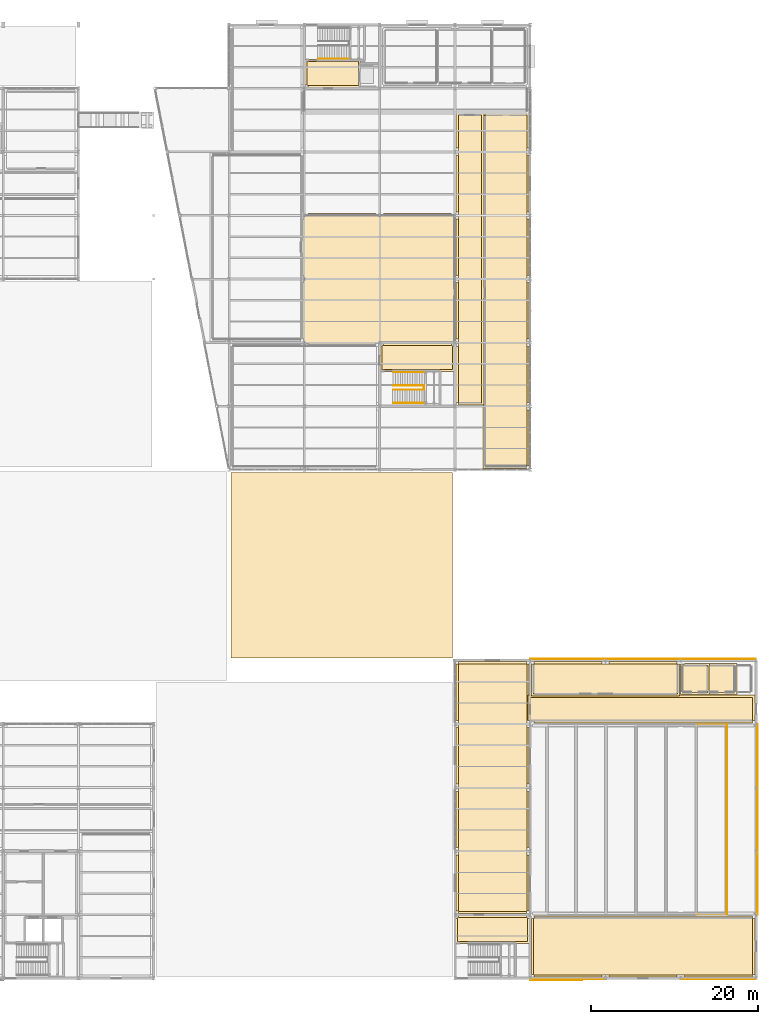
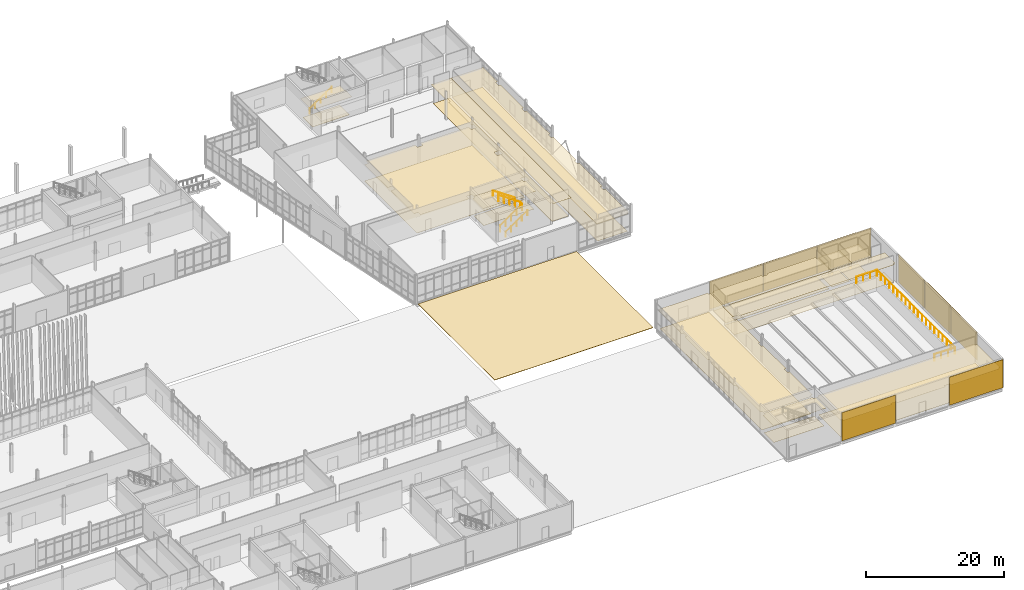
# One storey, part 159 of 161: 33 coverings, 5 railings.
"""IFC4 building model written with IfcOpenShell, lengths in metres."""

from ifc_helpers import new_model, si_unit, direction, frame, origin, origin_2d, place, context, subcontext, project, spatial, polyline, rectangle, circle, outline, extrude, material, layer, layer_set, type_object, element, save


model = new_model("IFC4")

# Units and contexts
model_context = context("Model", 3, precision=1e-05, world=origin(), true_north=direction((0.0, 1.0)))
body_context = subcontext(model_context, "Body", "Model", "MODEL_VIEW")
ifc_project = project(units=[si_unit("LENGTHUNIT", "METRE"), si_unit("AREAUNIT", "SQUARE_METRE"), si_unit("VOLUMEUNIT", "CUBIC_METRE"), si_unit("PLANEANGLEUNIT", "RADIAN"), si_unit("MASSUNIT", "GRAM", prefix="KILO")], contexts=[model_context])

# Site, building, storey
site_placement = place(None, origin())
site = spatial("IfcSite", under=ifc_project, at=site_placement, CompositionType="ELEMENT")
building_placement = place(site_placement, origin())
building = spatial("IfcBuilding", under=site, at=building_placement, Name="Caisbarro Railhouse Central Library", CompositionType="ELEMENT")
storey_placement = place(building_placement, origin())
storey = spatial("IfcBuildingStorey", under=building, at=storey_placement, Name="L00", CompositionType="ELEMENT", Elevation=0.0)

# Coverings
ifc_material_1 = material(Name="Extruded architectural terracotta rainscreen", Category="masonry")
ifc_layer_1 = layer(ifc_material_1, 0.054931640625, Name="Extruded architectural terracotta rainscreen")
ifc_layer_set_1 = layer_set([ifc_layer_1], Name="Extruded architectural terracotta rainscreen")
covering_type_1 = type_object("IfcCoveringType", Name="CLD-TER01", PredefinedType="CLADDING", material=ifc_layer_set_1)
for number, where, z_axis, x_axis, name in (
    (1, (180.17138671875, 11.39990234375, 0.030029296875), (0.0, 0.0, 1.0), (0.0, 1.0, 0.0), "TER01 facade cladding L00-035"),
    (2, (180.17138671875, 19.0, 0.030029296875), (0.0, 0.0, 1.0), (0.0, 1.0, 0.0), "TER01 facade cladding L00-036"),
    (3, (180.17138671875, 26.60009765625, 0.030029296875), (0.0, 0.0, 1.0), (0.0, 1.0, 0.0), "TER01 facade cladding L00-037"),
):
    element("IfcCovering", number, at=place(storey_placement, frame(where, z_axis=z_axis, x_axis=x_axis)), inside=storey, type_object=covering_type_1, Name=name, PredefinedType="CLADDING", context=body_context, shape_type="SweptSolid", body=[
        extrude(rectangle(XDim=7.56005859375, YDim=0.054931640625, at=origin_2d()), origin(), (0.0, 0.0, 1.0), 4.97998046875),
    ])
for number, where, z_axis, x_axis, name in (
    (4, (157.5, -0.17138671875, 0.030029296875), (0.0, 0.0, 1.0), (1.0, 0.0, 0.0), "TER01 facade cladding L00-038"),
    (5, (157.5, 38.17138671875, 0.030029296875), (0.0, 0.0, 1.0), (1.0, 0.0, 0.0), "TER01 facade cladding L00-039"),
    (6, (166.5, 38.17138671875, 0.030029296875), (0.0, 0.0, 1.0), (1.0, 0.0, 0.0), "TER01 facade cladding L00-040"),
    (7, (175.5, -0.17138671875, 0.030029296875), (0.0, 0.0, 1.0), (1.0, 0.0, 0.0), "TER01 facade cladding L00-041"),
    (8, (175.5, 38.17138671875, 0.030029296875), (0.0, 0.0, 1.0), (1.0, 0.0, 0.0), "TER01 facade cladding L00-042"),
):
    element("IfcCovering", number, at=place(storey_placement, frame(where, z_axis=z_axis, x_axis=x_axis)), inside=storey, type_object=covering_type_1, Name=name, PredefinedType="CLADDING", context=body_context, shape_type="SweptSolid", body=[
        extrude(rectangle(XDim=8.9599609375, YDim=0.054931640625, at=origin_2d()), origin(), (0.0, 0.0, 1.0), 4.97998046875),
    ])
ifc_material_2 = material(Name="Perforated mineral-fibre acoustic ceiling tile")
ifc_layer_2 = layer(ifc_material_2, 0.01806640625, Name="Perforated mineral-fibre acoustic ceiling tile")
ifc_layer_set_2 = layer_set([ifc_layer_2], Name="Perforated mineral-fibre acoustic ceiling tile")
covering_type_2 = type_object("IfcCoveringType", Name="COV-CL01", PredefinedType="CEILING", material=ifc_layer_set_2)
covering_1_placement = place(storey_placement, frame((0.0, 0.0, 3.25)))
element("IfcCovering", 9, at=covering_1_placement, inside=storey, type_object=covering_type_2, Name="CL01 acoustic ceiling Lift Lobby K3", PredefinedType="CEILING", context=body_context, shape_type="SweptSolid", body=[
    extrude(outline(polyline([(126.0400390625, 109.860107421875), (132.7099609375, 109.860107421875), (132.7099609375, 106.489990234375), (126.43994140625, 106.489990234375), (126.43994140625, 106.840087890625), (126.0400390625, 106.840087890625), (126.0400390625, 109.860107421875)])), origin(), (0.0, 0.0, 1.0), 0.01806640625),
])
covering_2_placement = place(storey_placement, frame((0.0, 0.0, 3.25)))
element("IfcCovering", 10, at=covering_2_placement, inside=storey, type_object=covering_type_2, Name="CL01 acoustic ceiling Stair Lobby K7", PredefinedType="CEILING", context=body_context, shape_type="SweptSolid", body=[
    extrude(outline(polyline([(135.43994140625, 75.56005859375), (135.43994140625, 75.909912109375), (143.56005859375, 75.909912109375), (143.56005859375, 75.56005859375), (143.9599609375, 75.56005859375), (143.9599609375, 72.5400390625), (135.0400390625, 72.5400390625), (135.0400390625, 75.56005859375), (135.43994140625, 75.56005859375)])), origin(), (0.0, 0.0, 1.0), 0.01806640625),
])
covering_3_placement = place(storey_placement, frame((0.0, 0.0, 3.25)))
element("IfcCovering", 11, at=covering_3_placement, inside=storey, type_object=covering_type_2, Name="CL01 acoustic ceiling Stair Lobby K9", PredefinedType="CEILING", context=body_context, shape_type="SweptSolid", body=[
    extrude(outline(polyline([(144.43994140625, 7.159912109375), (144.43994140625, 7.510009765625), (152.56005859375, 7.510009765625), (152.56005859375, 7.159912109375), (152.9599609375, 7.159912109375), (152.9599609375, 4.139892578125), (144.0400390625, 4.139892578125), (144.0400390625, 7.159912109375), (144.43994140625, 7.159912109375)])), origin(), (0.0, 0.0, 1.0), 0.01806640625),
])
covering_4_placement = place(storey_placement, frame((0.0, 0.0, 3.25)))
element("IfcCovering", 12, at=covering_4_placement, inside=storey, type_object=covering_type_2, Name="CL01 acoustic ceiling Atrium Ground Concourse", PredefinedType="CEILING", context=body_context, shape_type="SweptSolid", body=[
    extrude(outline(polyline([(126.43994140625, 75.739990234375), (126.43994140625, 76.43994140625), (125.739990234375, 76.43994140625), (125.739990234375, 83.159912109375), (126.43994140625, 83.159912109375), (126.43994140625, 84.0400390625), (125.739990234375, 84.0400390625), (125.739990234375, 90.760009765625), (126.43994140625, 90.760009765625), (126.43994140625, 91.4599609375), (134.56005859375, 91.4599609375), (134.56005859375, 90.760009765625), (135.43994140625, 90.760009765625), (135.43994140625, 91.4599609375), (143.56005859375, 91.4599609375), (143.56005859375, 90.760009765625), (144.260009765625, 90.760009765625), (144.260009765625, 84.0400390625), (143.56005859375, 84.0400390625), (143.56005859375, 83.159912109375), (144.260009765625, 83.159912109375), (144.260009765625, 76.43994140625), (143.56005859375, 76.43994140625), (143.56005859375, 75.739990234375), (135.43994140625, 75.739990234375), (135.43994140625, 76.43994140625), (134.56005859375, 76.43994140625), (134.56005859375, 75.739990234375), (126.43994140625, 75.739990234375)])), origin(), (0.0, 0.0, 1.0), 0.01806640625),
])
covering_5_placement = place(storey_placement, frame((0.0, 0.0, 3.25)))
element("IfcCovering", 13, at=covering_5_placement, inside=storey, type_object=covering_type_2, Name="CL01 acoustic ceiling Atrium East Corridor L00", PredefinedType="CEILING", context=body_context, shape_type="SweptSolid", body=[
    extrude(outline(polyline([(144.43994140625, 68.840087890625), (144.139892578125, 68.840087890625), (144.139892578125, 75.56005859375), (144.43994140625, 75.56005859375), (144.43994140625, 76.43994140625), (144.139892578125, 76.43994140625), (144.139892578125, 83.159912109375), (144.43994140625, 83.159912109375), (144.43994140625, 84.0400390625), (144.139892578125, 84.0400390625), (144.139892578125, 90.760009765625), (144.43994140625, 90.760009765625), (144.43994140625, 91.639892578125), (144.139892578125, 91.639892578125), (144.139892578125, 98.360107421875), (144.43994140625, 98.360107421875), (144.43994140625, 99.239990234375), (144.139892578125, 99.239990234375), (144.139892578125, 103.4599609375), (147.4599609375, 103.4599609375), (147.4599609375, 68.5400390625), (144.43994140625, 68.5400390625), (144.43994140625, 68.840087890625)])), origin(), (0.0, 0.0, 1.0), 0.01806640625),
])
covering_6_placement = place(storey_placement, frame((0.0, 0.0, 3.25)))
element("IfcCovering", 14, at=covering_6_placement, inside=storey, type_object=covering_type_2, Name="CL01 acoustic ceiling Quiet Study Carrels East L00", PredefinedType="CEILING", context=body_context, shape_type="SweptSolid", body=[
    extrude(outline(polyline([(152.860107421875, 75.56005859375), (152.860107421875, 68.840087890625), (152.56005859375, 68.840087890625), (152.56005859375, 67.9599609375), (152.860107421875, 67.9599609375), (152.860107421875, 61.239990234375), (152.56005859375, 61.239990234375), (152.56005859375, 60.93994140625), (147.340087890625, 60.93994140625), (147.340087890625, 103.4599609375), (152.860107421875, 103.4599609375), (152.860107421875, 99.239990234375), (152.56005859375, 99.239990234375), (152.56005859375, 98.360107421875), (152.860107421875, 98.360107421875), (152.860107421875, 91.639892578125), (152.56005859375, 91.639892578125), (152.56005859375, 90.760009765625), (152.860107421875, 90.760009765625), (152.860107421875, 84.0400390625), (152.56005859375, 84.0400390625), (152.56005859375, 83.159912109375), (152.860107421875, 83.159912109375), (152.860107421875, 76.43994140625), (152.56005859375, 76.43994140625), (152.56005859375, 75.56005859375), (152.860107421875, 75.56005859375)])), origin(), (0.0, 0.0, 1.0), 0.01806640625),
])
covering_7_placement = place(storey_placement, frame((0.0, 0.0, 3.25)))
element("IfcCovering", 15, at=covering_7_placement, inside=storey, type_object=covering_type_2, Name="CL01 acoustic ceiling Auditorium Foyer and Crush Concourse", PredefinedType="CEILING", context=body_context, shape_type="SweptSolid", body=[
    extrude(outline(polyline([(144.139892578125, 15.639892578125), (144.139892578125, 22.360107421875), (144.43994140625, 22.360107421875), (144.43994140625, 23.239990234375), (144.139892578125, 23.239990234375), (144.139892578125, 29.9599609375), (144.43994140625, 29.9599609375), (144.43994140625, 30.840087890625), (144.139892578125, 30.840087890625), (144.139892578125, 37.56005859375), (144.43994140625, 37.56005859375), (144.43994140625, 37.860107421875), (152.56005859375, 37.860107421875), (152.56005859375, 37.56005859375), (152.860107421875, 37.56005859375), (152.860107421875, 30.840087890625), (152.56005859375, 30.840087890625), (152.56005859375, 29.9599609375), (152.860107421875, 29.9599609375), (152.860107421875, 23.239990234375), (152.56005859375, 23.239990234375), (152.56005859375, 22.360107421875), (152.860107421875, 22.360107421875), (152.860107421875, 15.639892578125), (152.56005859375, 15.639892578125), (152.56005859375, 14.760009765625), (152.860107421875, 14.760009765625), (152.860107421875, 8.0400390625), (152.56005859375, 8.0400390625), (152.56005859375, 7.739990234375), (144.43994140625, 7.739990234375), (144.43994140625, 8.0400390625), (144.139892578125, 8.0400390625), (144.139892578125, 14.760009765625), (144.43994140625, 14.760009765625), (144.43994140625, 15.639892578125), (144.139892578125, 15.639892578125)])), origin(), (0.0, 0.0, 1.0), 0.01806640625),
])
covering_8_placement = place(storey_placement, frame((0.0, 0.0, 3.25)))
element("IfcCovering", 16, at=covering_8_placement, inside=storey, type_object=covering_type_2, Name="CL01 acoustic ceiling Auditorium South Exit Corridor", PredefinedType="CEILING", context=body_context, shape_type="SweptSolid", body=[
    extrude(outline(polyline([(170.56005859375, 0.43994140625), (170.56005859375, 0.139892578125), (162.43994140625, 0.139892578125), (162.43994140625, 0.43994140625), (161.56005859375, 0.43994140625), (161.56005859375, 0.139892578125), (153.43994140625, 0.139892578125), (153.43994140625, 0.43994140625), (153.139892578125, 0.43994140625), (153.139892578125, 7.159912109375), (153.43994140625, 7.159912109375), (153.43994140625, 7.4599609375), (179.56005859375, 7.4599609375), (179.56005859375, 7.159912109375), (179.860107421875, 7.159912109375), (179.860107421875, 0.43994140625), (179.56005859375, 0.43994140625), (179.56005859375, 0.139892578125), (171.43994140625, 0.139892578125), (171.43994140625, 0.43994140625), (170.56005859375, 0.43994140625)])), origin(), (0.0, 0.0, 1.0), 0.01806640625),
])
covering_9_placement = place(storey_placement, frame((0.0, 0.0, 3.25)))
element("IfcCovering", 17, at=covering_9_placement, inside=storey, type_object=covering_type_2, Name="CL01 acoustic ceiling Auditorium North Corridor", PredefinedType="CEILING", context=body_context, shape_type="SweptSolid", body=[
    extrude(outline(polyline([(179.860107421875, 33.860107421875), (179.860107421875, 30.840087890625), (179.56005859375, 30.840087890625), (179.56005859375, 30.5400390625), (153.43994140625, 30.5400390625), (153.43994140625, 30.840087890625), (152.739990234375, 30.840087890625), (152.739990234375, 33.860107421875), (179.860107421875, 33.860107421875)])), origin(), (0.0, 0.0, 1.0), 0.01806640625),
])
covering_10_placement = place(storey_placement, frame((0.0, 0.0, 3.25)))
element("IfcCovering", 18, at=covering_10_placement, inside=storey, type_object=covering_type_2, Name="CL01 acoustic ceiling Green Room and Stage Support Suite", PredefinedType="CEILING", context=body_context, shape_type="SweptSolid", body=[
    extrude(outline(polyline([(153.43994140625, 37.860107421875), (161.56005859375, 37.860107421875), (161.56005859375, 37.56005859375), (162.43994140625, 37.56005859375), (162.43994140625, 37.860107421875), (170.56005859375, 37.860107421875), (170.56005859375, 37.56005859375), (170.860107421875, 37.56005859375), (170.860107421875, 33.739990234375), (153.139892578125, 33.739990234375), (153.139892578125, 37.56005859375), (153.43994140625, 37.56005859375), (153.43994140625, 37.860107421875)])), origin(), (0.0, 0.0, 1.0), 0.01806640625),
])
covering_11_placement = place(storey_placement, frame((0.0, 0.0, 3.25)))
element("IfcCovering", 19, at=covering_11_placement, inside=storey, type_object=covering_type_2, Name="CL01 acoustic ceiling Male WC L00-V3", PredefinedType="CEILING", context=body_context, shape_type="SweptSolid", body=[
    extrude(outline(polyline([(170.93994140625, 37.56005859375), (171.43994140625, 37.56005859375), (171.43994140625, 37.659912109375), (174.427978515625, 37.659912109375), (174.427978515625, 33.93994140625), (170.93994140625, 33.93994140625), (170.93994140625, 37.56005859375)])), origin(), (0.0, 0.0, 1.0), 0.01806640625),
])
covering_12_placement = place(storey_placement, frame((0.0, 0.0, 3.25)))
element("IfcCovering", 20, at=covering_12_placement, inside=storey, type_object=covering_type_2, Name="CL01 acoustic ceiling Female WC L00-V3", PredefinedType="CEILING", context=body_context, shape_type="SweptSolid", body=[
    extrude(outline(polyline([(174.10791015625, 33.93994140625), (174.10791015625, 37.659912109375), (177.696044921875, 37.659912109375), (177.696044921875, 33.93994140625), (174.10791015625, 33.93994140625)])), origin(), (0.0, 0.0, 1.0), 0.01806640625),
])
ifc_material_3 = material(Name="Polished cementitious terrazzo flooring")
ifc_layer_3 = layer(ifc_material_3, 0.02197265625, Name="Polished cementitious terrazzo flooring")
ifc_layer_set_3 = layer_set([ifc_layer_3], Name="Polished cementitious terrazzo flooring")
covering_type_3 = type_object("IfcCoveringType", Name="COV-FL01", PredefinedType="FLOORING", material=ifc_layer_set_3)
covering_13_placement = place(storey_placement, origin())
element("IfcCovering", 21, at=covering_13_placement, inside=storey, type_object=covering_type_3, Name="FL01 flooring Lift Lobby K3", PredefinedType="FLOORING", context=body_context, shape_type="SweptSolid", body=[
    extrude(outline(polyline([(126.300048828125, 106.75), (132.449951171875, 106.75), (132.449951171875, 109.60009765625), (126.300048828125, 109.60009765625), (126.300048828125, 106.75)])), origin(), (0.0, 0.0, 1.0), 0.02197265625),
])
covering_14_placement = place(storey_placement, origin())
element("IfcCovering", 22, at=covering_14_placement, inside=storey, type_object=covering_type_3, Name="FL01 flooring Stair Lobby K7", PredefinedType="FLOORING", context=body_context, shape_type="SweptSolid", body=[
    extrude(outline(polyline([(135.300048828125, 72.800048828125), (143.699951171875, 72.800048828125), (143.699951171875, 75.64990234375), (135.300048828125, 75.64990234375), (135.300048828125, 72.800048828125)])), origin(), (0.0, 0.0, 1.0), 0.02197265625),
])
covering_15_placement = place(storey_placement, origin())
element("IfcCovering", 23, at=covering_15_placement, inside=storey, type_object=covering_type_3, Name="FL01 flooring Stair Lobby K9", PredefinedType="FLOORING", context=body_context, shape_type="SweptSolid", body=[
    extrude(outline(polyline([(144.300048828125, 4.39990234375), (152.699951171875, 4.39990234375), (152.699951171875, 7.25), (144.300048828125, 7.25), (144.300048828125, 4.39990234375)])), origin(), (0.0, 0.0, 1.0), 0.02197265625),
])
covering_16_placement = place(storey_placement, origin())
element("IfcCovering", 24, at=covering_16_placement, inside=storey, type_object=covering_type_3, Name="FL01 flooring Atrium Ground Concourse", PredefinedType="FLOORING", context=body_context, shape_type="SweptSolid", body=[
    extrude(outline(polyline([(126.0, 76.0), (144.0, 76.0), (144.0, 91.199951171875), (126.0, 91.199951171875), (126.0, 76.0)])), origin(), (0.0, 0.0, 1.0), 0.02197265625),
])
covering_17_placement = place(storey_placement, origin())
element("IfcCovering", 25, at=covering_17_placement, inside=storey, type_object=covering_type_3, Name="FL01 flooring Atrium East Corridor L00", PredefinedType="FLOORING", context=body_context, shape_type="SweptSolid", body=[
    extrude(outline(polyline([(144.39990234375, 68.800048828125), (147.199951171875, 68.800048828125), (147.199951171875, 103.199951171875), (144.39990234375, 103.199951171875), (144.39990234375, 68.800048828125)])), origin(), (0.0, 0.0, 1.0), 0.02197265625),
])
covering_18_placement = place(storey_placement, origin())
element("IfcCovering", 26, at=covering_18_placement, inside=storey, type_object=covering_type_3, Name="FL01 flooring Auditorium Foyer and Crush Concourse", PredefinedType="FLOORING", context=body_context, shape_type="SweptSolid", body=[
    extrude(outline(polyline([(144.39990234375, 8.0), (152.60009765625, 8.0), (152.60009765625, 37.60009765625), (144.39990234375, 37.60009765625), (144.39990234375, 8.0)])), origin(), (0.0, 0.0, 1.0), 0.02197265625),
])
covering_19_placement = place(storey_placement, origin())
element("IfcCovering", 27, at=covering_19_placement, inside=storey, type_object=covering_type_3, Name="FL01 flooring Auditorium South Exit Corridor", PredefinedType="FLOORING", context=body_context, shape_type="SweptSolid", body=[
    extrude(outline(polyline([(153.39990234375, 0.39990234375), (179.60009765625, 0.39990234375), (179.60009765625, 7.199951171875), (153.39990234375, 7.199951171875), (153.39990234375, 0.39990234375)])), origin(), (0.0, 0.0, 1.0), 0.02197265625),
])
covering_20_placement = place(storey_placement, origin())
element("IfcCovering", 28, at=covering_20_placement, inside=storey, type_object=covering_type_3, Name="FL01 flooring Auditorium North Corridor", PredefinedType="FLOORING", context=body_context, shape_type="SweptSolid", body=[
    extrude(outline(polyline([(153.0, 30.800048828125), (179.60009765625, 30.800048828125), (179.60009765625, 33.60009765625), (153.0, 33.60009765625), (153.0, 30.800048828125)])), origin(), (0.0, 0.0, 1.0), 0.02197265625),
])
ifc_material_4 = material(Name="Heavy-duty acoustic linoleum flooring")
ifc_layer_4 = layer(ifc_material_4, 0.011962890625, Name="Heavy-duty acoustic linoleum flooring")
ifc_layer_set_4 = layer_set([ifc_layer_4], Name="Heavy-duty acoustic linoleum flooring")
covering_type_4 = type_object("IfcCoveringType", Name="COV-FL02", PredefinedType="FLOORING", material=ifc_layer_set_4)
covering_21_placement = place(storey_placement, origin())
element("IfcCovering", 29, at=covering_21_placement, inside=storey, type_object=covering_type_4, Name="FL02 flooring Quiet Study Carrels East L00", PredefinedType="FLOORING", context=body_context, shape_type="SweptSolid", body=[
    extrude(outline(polyline([(147.60009765625, 61.199951171875), (152.60009765625, 61.199951171875), (152.60009765625, 103.199951171875), (147.60009765625, 103.199951171875), (147.60009765625, 61.199951171875)])), origin(), (0.0, 0.0, 1.0), 0.011962890625),
])
covering_22_placement = place(storey_placement, origin())
element("IfcCovering", 30, at=covering_22_placement, inside=storey, type_object=covering_type_4, Name="FL02 flooring Green Room and Stage Support Suite", PredefinedType="FLOORING", context=body_context, shape_type="SweptSolid", body=[
    extrude(outline(polyline([(153.39990234375, 34.0), (170.60009765625, 34.0), (170.60009765625, 37.60009765625), (153.39990234375, 37.60009765625), (153.39990234375, 34.0)])), origin(), (0.0, 0.0, 1.0), 0.011962890625),
])
covering_23_placement = place(storey_placement, origin())
element("IfcCovering", 31, at=covering_23_placement, inside=storey, type_object=covering_type_4, Name="FL02 flooring Male WC L00-V3", PredefinedType="FLOORING", context=body_context, shape_type="SweptSolid", body=[
    extrude(outline(polyline([(171.199951171875, 34.199951171875), (174.16796875, 34.199951171875), (174.16796875, 37.39990234375), (171.199951171875, 37.39990234375), (171.199951171875, 34.199951171875)])), origin(), (0.0, 0.0, 1.0), 0.011962890625),
])
covering_24_placement = place(storey_placement, origin())
element("IfcCovering", 32, at=covering_24_placement, inside=storey, type_object=covering_type_4, Name="FL02 flooring Female WC L00-V3", PredefinedType="FLOORING", context=body_context, shape_type="SweptSolid", body=[
    extrude(outline(polyline([(174.367919921875, 34.199951171875), (177.43603515625, 34.199951171875), (177.43603515625, 37.39990234375), (174.367919921875, 37.39990234375), (174.367919921875, 34.199951171875)])), origin(), (0.0, 0.0, 1.0), 0.011962890625),
])
ifc_material_5 = material(Name="Permeable light-grey granite courtyard paving", Category="masonry")
ifc_layer_5 = layer(ifc_material_5, 0.050048828125, Name="Permeable light-grey granite courtyard paving")
ifc_layer_set_5 = layer_set([ifc_layer_5], Name="Permeable light-grey granite courtyard paving")
covering_type_5 = type_object("IfcCoveringType", Name="COV-PAV01", PredefinedType="USERDEFINED", material=ifc_layer_set_5)
covering_25_placement = place(storey_placement, frame((0.0, 0.0, -0.050048828125)))
element("IfcCovering", 33, at=covering_25_placement, inside=storey, type_object=covering_type_5, Name="PV01 Courtyard Granite Paving PV-FORE-E", ObjectType="PAVING", PredefinedType="USERDEFINED", context=body_context, shape_type="SweptSolid", body=[
    extrude(outline(polyline([(117.199951171875, 38.300048828125), (143.699951171875, 38.300048828125), (143.699951171875, 60.5), (117.199951171875, 60.5), (117.199951171875, 38.300048828125)])), origin(), (0.0, 0.0, 1.0), 0.050048828125),
])

# Railings
ifc_material_6 = material(Name="Laminated safety glass balustrade with stainless top rail", Category="glass")
railing_type_1 = type_object("IfcRailingType", Name="RLG-ATR112", PredefinedType="GUARDRAIL", material=ifc_material_6)
railing_1_placement = place(storey_placement, frame((173.050048828125, 7.699951171875, 2.4599609375)))
element("IfcRailing", 34, at=railing_1_placement, inside=storey, type_object=railing_type_1, Name="RG02 Interior Void Balustrade L00-12", PredefinedType="GUARDRAIL", context=body_context, shape_type="SweptSolid", body=[
    extrude(circle(Radius=0.02392578125, at=origin_2d()), frame((0.0, 0.0, 1.09619140625), z_axis=(1.0, 0.0, 0.0), x_axis=(0.0, 1.0, 0.0)), (0.0, 0.0, 1.0), 3.449951171875),
    extrude(circle(Radius=0.02392578125, at=origin_2d()), frame((3.449951171875, 0.0, 1.09619140625), z_axis=(0.0, 1.0, 0.0), x_axis=(-1.0, 0.0, 0.0)), (0.0, 0.0, 1.0), 22.60009765625),
    extrude(circle(Radius=0.02392578125, at=origin_2d()), frame((3.449951171875, 22.60009765625, 1.09619140625), z_axis=(-1.0, 0.0, 0.0), x_axis=(0.0, -1.0, 0.0)), (0.0, 0.0, 1.0), 3.449951171875),
    extrude(circle(Radius=0.02099609375, at=origin_2d()), origin(), (0.0, 0.0, 1.0), 1.072021484375),
    extrude(circle(Radius=0.02099609375, at=origin_2d()), frame((1.14990234375, 0.0, 0.0)), (0.0, 0.0, 1.0), 1.072021484375),
    extrude(circle(Radius=0.02099609375, at=origin_2d()), frame((2.300048828125, 0.0, 0.0)), (0.0, 0.0, 1.0), 1.072021484375),
    extrude(circle(Radius=0.02099609375, at=origin_2d()), frame((3.449951171875, 0.0, 0.0)), (0.0, 0.0, 1.0), 1.072021484375),
    extrude(circle(Radius=0.02099609375, at=origin_2d()), frame((3.449951171875, 1.189453125, 0.0)), (0.0, 0.0, 1.0), 1.072021484375),
    extrude(circle(Radius=0.02099609375, at=origin_2d()), frame((3.449951171875, 2.37890625, 0.0)), (0.0, 0.0, 1.0), 1.072021484375),
    extrude(circle(Radius=0.02099609375, at=origin_2d()), frame((3.449951171875, 3.568359375, 0.0)), (0.0, 0.0, 1.0), 1.072021484375),
    extrude(circle(Radius=0.02099609375, at=origin_2d()), frame((3.449951171875, 4.7578125, 0.0)), (0.0, 0.0, 1.0), 1.072021484375),
    extrude(circle(Radius=0.02099609375, at=origin_2d()), frame((3.449951171875, 5.947509765625, 0.0)), (0.0, 0.0, 1.0), 1.072021484375),
    extrude(circle(Radius=0.02099609375, at=origin_2d()), frame((3.449951171875, 7.136962890625, 0.0)), (0.0, 0.0, 1.0), 1.072021484375),
    extrude(circle(Radius=0.02099609375, at=origin_2d()), frame((3.449951171875, 8.326416015625, 0.0)), (0.0, 0.0, 1.0), 1.072021484375),
    extrude(circle(Radius=0.02099609375, at=origin_2d()), frame((3.449951171875, 9.515869140625, 0.0)), (0.0, 0.0, 1.0), 1.072021484375),
    extrude(circle(Radius=0.02099609375, at=origin_2d()), frame((3.449951171875, 10.705322265625, 0.0)), (0.0, 0.0, 1.0), 1.072021484375),
    extrude(circle(Radius=0.02099609375, at=origin_2d()), frame((3.449951171875, 11.894775390625, 0.0)), (0.0, 0.0, 1.0), 1.072021484375),
    extrude(circle(Radius=0.02099609375, at=origin_2d()), frame((3.449951171875, 13.084228515625, 0.0)), (0.0, 0.0, 1.0), 1.072021484375),
    extrude(circle(Radius=0.02099609375, at=origin_2d()), frame((3.449951171875, 14.273681640625, 0.0)), (0.0, 0.0, 1.0), 1.072021484375),
    extrude(circle(Radius=0.02099609375, at=origin_2d()), frame((3.449951171875, 15.463134765625, 0.0)), (0.0, 0.0, 1.0), 1.072021484375),
    extrude(circle(Radius=0.02099609375, at=origin_2d()), frame((3.449951171875, 16.652587890625, 0.0)), (0.0, 0.0, 1.0), 1.072021484375),
    extrude(circle(Radius=0.02099609375, at=origin_2d()), frame((3.449951171875, 17.84228515625, 0.0)), (0.0, 0.0, 1.0), 1.072021484375),
    extrude(circle(Radius=0.02099609375, at=origin_2d()), frame((3.449951171875, 19.03173828125, 0.0)), (0.0, 0.0, 1.0), 1.072021484375),
    extrude(circle(Radius=0.02099609375, at=origin_2d()), frame((3.449951171875, 20.22119140625, 0.0)), (0.0, 0.0, 1.0), 1.072021484375),
    extrude(circle(Radius=0.02099609375, at=origin_2d()), frame((3.449951171875, 21.41064453125, 0.0)), (0.0, 0.0, 1.0), 1.072021484375),
    extrude(circle(Radius=0.02099609375, at=origin_2d()), frame((3.449951171875, 22.60009765625, 0.0)), (0.0, 0.0, 1.0), 1.072021484375),
    extrude(circle(Radius=0.02099609375, at=origin_2d()), frame((2.300048828125, 22.60009765625, 0.0)), (0.0, 0.0, 1.0), 1.072021484375),
    extrude(circle(Radius=0.02099609375, at=origin_2d()), frame((1.14990234375, 22.60009765625, 0.0)), (0.0, 0.0, 1.0), 1.072021484375),
    extrude(circle(Radius=0.02099609375, at=origin_2d()), frame((0.0, 22.60009765625, 0.0)), (0.0, 0.0, 1.0), 1.072021484375),
])
ifc_material_7 = material(Name="Brushed stainless steel Grade 316", Category="steel")
railing_type_2 = type_object("IfcRailingType", Name="RLG-STR092", PredefinedType="HANDRAIL", material=ifc_material_7)
for number, where, name in (
    (35, (127.64990234375, 109.93994140625, 0.0), "Stair ST-03 Outer Handrail F1 L00"),
    (36, (136.64990234375, 68.7900390625, 0.0), "Stair ST-07 Outer Handrail F1 L00"),
):
    element("IfcRailing", number, at=place(storey_placement, frame(where)), inside=storey, type_object=railing_type_2, Name=name, PredefinedType="HANDRAIL", context=body_context, shape_type="SweptSolid", body=[
        extrude(circle(Radius=0.02392578125, at=origin_2d()), frame((0.0, 0.0, 0.89599609375), z_axis=(0.824379387844, 0.0, 0.566037653251), x_axis=(0.0, 1.0, 0.0)), (0.0, 0.0, 1.0), 4.4521484375),
        extrude(circle(Radius=0.02099609375, at=origin_2d()), origin(), (0.0, 0.0, 1.0), 0.871826171875),
        extrude(circle(Radius=0.02099609375, at=origin_2d()), frame((0.91748046875, 0.0, 0.6298828125)), (0.0, 0.0, 1.0), 0.871826171875),
        extrude(circle(Radius=0.02099609375, at=origin_2d()), frame((1.8349609375, 0.0, 1.260009765625)), (0.0, 0.0, 1.0), 0.871826171875),
        extrude(circle(Radius=0.02099609375, at=origin_2d()), frame((2.752685546875, 0.0, 1.89013671875)), (0.0, 0.0, 1.0), 0.871826171875),
        extrude(circle(Radius=0.02099609375, at=origin_2d()), frame((3.670166015625, 0.0, 2.52001953125)), (0.0, 0.0, 1.0), 0.871826171875),
    ])
railing_2_placement = place(storey_placement, frame((140.320068359375, 72.4599609375, 2.52001953125)))
element("IfcRailing", 37, at=railing_2_placement, inside=storey, type_object=railing_type_2, Name="Stair ST-07 Outer Handrail F2 L00", PredefinedType="HANDRAIL", context=body_context, shape_type="SweptSolid", body=[
    extrude(circle(Radius=0.02392578125, at=origin_2d()), frame((0.0, 0.0, 0.89599609375), z_axis=(-0.824379387844, 0.0, 0.566037653251), x_axis=(0.0, -1.0, 0.0)), (0.0, 0.0, 1.0), 4.4521484375),
    extrude(circle(Radius=0.02099609375, at=origin_2d()), origin(), (0.0, 0.0, 1.0), 0.871826171875),
    extrude(circle(Radius=0.02099609375, at=origin_2d()), frame((-0.91748046875, 0.0, 0.6298828125)), (0.0, 0.0, 1.0), 0.871826171875),
    extrude(circle(Radius=0.02099609375, at=origin_2d()), frame((-1.8349609375, 0.0, 1.260009765625)), (0.0, 0.0, 1.0), 0.871826171875),
    extrude(circle(Radius=0.02099609375, at=origin_2d()), frame((-2.752685546875, 0.0, 1.89013671875)), (0.0, 0.0, 1.0), 0.871826171875),
    extrude(circle(Radius=0.02099609375, at=origin_2d()), frame((-3.670166015625, 0.0, 2.52001953125)), (0.0, 0.0, 1.0), 0.871826171875),
])
railing_type_3 = type_object("IfcRailingType", Name="RLG-STR110", PredefinedType="GUARDRAIL", material=ifc_material_7)
railing_3_placement = place(storey_placement, frame((136.64990234375, 70.3701171875, 0.0)))
element("IfcRailing", 38, at=railing_3_placement, inside=storey, type_object=railing_type_3, Name="Stair ST-07 Inner Well Guardrail L00", PredefinedType="GUARDRAIL", context=body_context, shape_type="SweptSolid", body=[
    extrude(circle(Radius=0.02392578125, at=origin_2d()), frame((0.0, 0.0, 1.076171875), z_axis=(0.824379387844, 0.0, 0.566037653251), x_axis=(0.0, 1.0, 0.0)), (0.0, 0.0, 1.0), 4.4521484375),
    extrude(circle(Radius=0.02392578125, at=origin_2d()), frame((3.670166015625, 0.0, 3.59619140625), z_axis=(0.0, 1.0, 0.0), x_axis=(-1.0, 0.0, 0.0)), (0.0, 0.0, 1.0), 0.509765625),
    extrude(circle(Radius=0.02392578125, at=origin_2d()), frame((3.670166015625, 0.509765625, 3.59619140625), z_axis=(-0.824379387844, 0.0, 0.566037653251), x_axis=(0.0, -1.0, 0.0)), (0.0, 0.0, 1.0), 4.4521484375),
    extrude(circle(Radius=0.02099609375, at=origin_2d()), origin(), (0.0, 0.0, 1.0), 1.052001953125),
    extrude(circle(Radius=0.02099609375, at=origin_2d()), frame((0.91748046875, 0.0, 0.6298828125)), (0.0, 0.0, 1.0), 1.052001953125),
    extrude(circle(Radius=0.02099609375, at=origin_2d()), frame((1.8349609375, 0.0, 1.260009765625)), (0.0, 0.0, 1.0), 1.052001953125),
    extrude(circle(Radius=0.02099609375, at=origin_2d()), frame((2.752685546875, 0.0, 1.89013671875)), (0.0, 0.0, 1.0), 1.052001953125),
    extrude(circle(Radius=0.02099609375, at=origin_2d()), frame((3.670166015625, 0.0, 2.52001953125)), (0.0, 0.0, 1.0), 1.052001953125),
    extrude(circle(Radius=0.02099609375, at=origin_2d()), frame((3.670166015625, 0.509765625, 2.52001953125)), (0.0, 0.0, 1.0), 1.052001953125),
    extrude(circle(Radius=0.02099609375, at=origin_2d()), frame((2.752685546875, 0.509765625, 3.14990234375)), (0.0, 0.0, 1.0), 1.052001953125),
    extrude(circle(Radius=0.02099609375, at=origin_2d()), frame((1.8349609375, 0.509765625, 3.780029296875)), (0.0, 0.0, 1.0), 1.052001953125),
    extrude(circle(Radius=0.02099609375, at=origin_2d()), frame((0.91748046875, 0.509765625, 4.41015625)), (0.0, 0.0, 1.0), 1.052001953125),
    extrude(circle(Radius=0.02099609375, at=origin_2d()), frame((0.0, 0.509765625, 5.0400390625)), (0.0, 0.0, 1.0), 1.052001953125),
])

save(model, "model.ifc")
